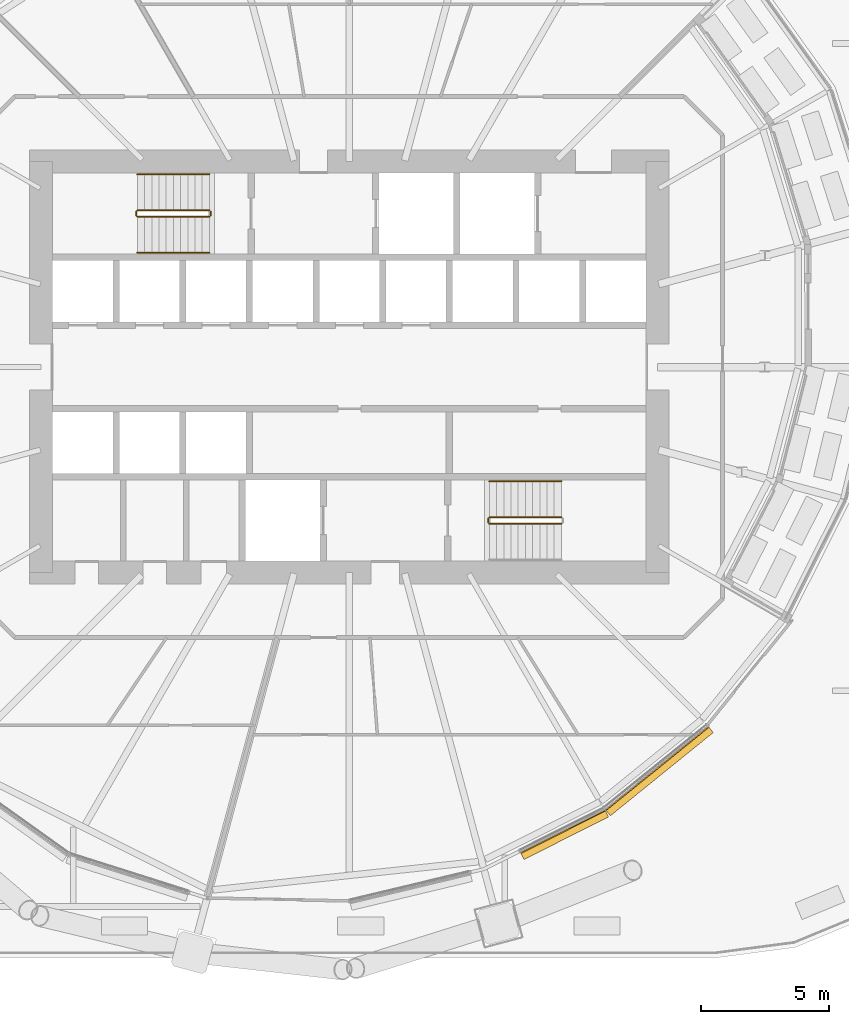
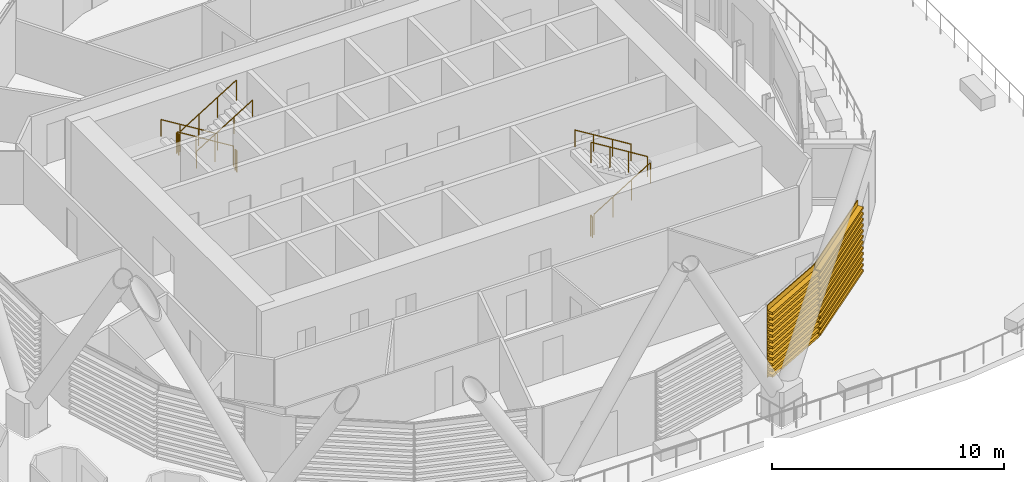
# One storey, part 43 of 47: 10 railings, 2 coverings.
"""IFC4 building model written with IfcOpenShell, lengths in metres."""

from ifc_helpers import new_model, si_unit, direction, frame, origin, origin_2d, place, context, subcontext, project, spatial, polyline, circle, outline, extrude, material, material_profile, profile_set, type_object, element, save


model = new_model("IFC4")

# Units and contexts
model_context = context("Model", 3, precision=1e-05, world=origin(), true_north=direction((0.0, 1.0)))
body_context = subcontext(model_context, "Body", "Model", "MODEL_VIEW")
ifc_project = project(units=[si_unit("LENGTHUNIT", "METRE"), si_unit("AREAUNIT", "SQUARE_METRE"), si_unit("VOLUMEUNIT", "CUBIC_METRE"), si_unit("PLANEANGLEUNIT", "RADIAN"), si_unit("MASSUNIT", "GRAM", prefix="KILO")], contexts=[model_context])

# Site, building, storey
site_placement = place(None, origin())
site = spatial("IfcSite", under=ifc_project, at=site_placement, CompositionType="ELEMENT")
building_placement = place(site_placement, origin())
building = spatial("IfcBuilding", under=site, at=building_placement, Name="Rimbun Link Towers", CompositionType="ELEMENT")
storey_placement = place(building_placement, frame((0.0, 0.0, 30.0)))
storey = spatial("IfcBuildingStorey", under=building, at=storey_placement, Name="L06", CompositionType="ELEMENT", Elevation=30.0)

# Railings
ifc_material_1 = material(Name="Stainless steel grade 316", Category="steel")
railing_type_1 = type_object("IfcRailingType", Name="Stair guard", PredefinedType="GUARDRAIL", material=ifc_material_1)
railing_1_placement = place(storey_placement, frame((26.300048828125, 6.10009765625, 0.172607421875)))
element("IfcRailing", 1, at=railing_1_placement, inside=storey, type_object=railing_type_1, Name="L06 ST3 stair guard 1", PredefinedType="GUARDRAIL", context=body_context, shape_type="SweptSolid", body=[
    extrude(circle(Radius=0.02392578125, at=origin_2d()), frame((0.0, 0.0, 1.076171875), z_axis=(-0.851089632645, 0.0, 0.525020415988), x_axis=(0.0, -1.0, 0.0)), (0.0, 0.0, 1.0), 3.2900390625),
    extrude(circle(Radius=0.02099609375, at=origin_2d()), origin(), (0.0, 0.0, 1.0), 1.052001953125),
    extrude(circle(Radius=0.02099609375, at=origin_2d()), frame((-0.933349609375, 0.0, 0.57568359375)), (0.0, 0.0, 1.0), 1.052001953125),
    extrude(circle(Radius=0.02099609375, at=origin_2d()), frame((-1.86669921875, 0.0, 1.151611328125)), (0.0, 0.0, 1.0), 1.052001953125),
    extrude(circle(Radius=0.02099609375, at=origin_2d()), frame((-2.800048828125, 0.0, 1.727294921875)), (0.0, 0.0, 1.0), 1.052001953125),
])
railing_2_placement = place(storey_placement, frame((23.449951171875, 6.050048828125, 1.89990234375)))
element("IfcRailing", 2, at=railing_2_placement, inside=storey, type_object=railing_type_1, Name="L06 ST3 stair guard 2", PredefinedType="GUARDRAIL", context=body_context, shape_type="SweptSolid", body=[
    extrude(circle(Radius=0.02392578125, at=origin_2d()), frame((0.0, 0.0, 1.076171875), z_axis=(0.0, -1.0, 0.0), x_axis=(1.0, 0.0, 0.0)), (0.0, 0.0, 1.0), 0.150146484375),
    extrude(circle(Radius=0.02099609375, at=origin_2d()), origin(), (0.0, 0.0, 1.0), 1.052001953125),
    extrude(circle(Radius=0.02099609375, at=origin_2d()), frame((0.0, -0.150146484375, 0.0)), (0.0, 0.0, 1.0), 1.052001953125),
])
railing_3_placement = place(storey_placement, frame((23.5, 5.85009765625, 2.07275390625)))
element("IfcRailing", 3, at=railing_3_placement, inside=storey, type_object=railing_type_1, Name="L06 ST3 stair guard 3", PredefinedType="GUARDRAIL", context=body_context, shape_type="SweptSolid", body=[
    extrude(circle(Radius=0.02392578125, at=origin_2d()), frame((0.0, 0.0, 1.076171875), z_axis=(0.851089632645, 0.0, 0.525020415988), x_axis=(0.0, 1.0, 0.0)), (0.0, 0.0, 1.0), 3.2900390625),
    extrude(circle(Radius=0.02099609375, at=origin_2d()), origin(), (0.0, 0.0, 1.0), 1.052001953125),
    extrude(circle(Radius=0.02099609375, at=origin_2d()), frame((0.933349609375, 0.0, 0.57568359375)), (0.0, 0.0, 1.0), 1.052001953125),
    extrude(circle(Radius=0.02099609375, at=origin_2d()), frame((1.86669921875, 0.0, 1.151611328125)), (0.0, 0.0, 1.0), 1.052001953125),
    extrude(circle(Radius=0.02099609375, at=origin_2d()), frame((2.800048828125, 0.0, 1.727294921875)), (0.0, 0.0, 1.0), 1.052001953125),
])
railing_4_placement = place(storey_placement, frame((26.35009765625, 6.050048828125, 0.0)))
element("IfcRailing", 4, at=railing_4_placement, inside=storey, type_object=railing_type_1, Name="L06 ST3 stair guard 4", PredefinedType="GUARDRAIL", context=body_context, shape_type="SweptSolid", body=[
    extrude(circle(Radius=0.02392578125, at=origin_2d()), frame((0.0, 0.0, 1.076171875), z_axis=(0.0, -1.0, 0.0), x_axis=(1.0, 0.0, 0.0)), (0.0, 0.0, 1.0), 0.150146484375),
    extrude(circle(Radius=0.02099609375, at=origin_2d()), origin(), (0.0, 0.0, 1.0), 1.052001953125),
    extrude(circle(Radius=0.02099609375, at=origin_2d()), frame((0.0, -0.150146484375, 0.0)), (0.0, 0.0, 1.0), 1.052001953125),
])
railing_5_placement = place(storey_placement, frame((37.199951171875, -6.10009765625, 0.172607421875)))
element("IfcRailing", 5, at=railing_5_placement, inside=storey, type_object=railing_type_1, Name="L06 ST4 stair guard 1", PredefinedType="GUARDRAIL", context=body_context, shape_type="SweptSolid", body=[
    extrude(circle(Radius=0.02392578125, at=origin_2d()), frame((0.0, 0.0, 1.076171875), z_axis=(0.851089632645, 0.0, 0.525020415988), x_axis=(0.0, 1.0, 0.0)), (0.0, 0.0, 1.0), 3.2900390625),
    extrude(circle(Radius=0.02099609375, at=origin_2d()), origin(), (0.0, 0.0, 1.0), 1.052001953125),
    extrude(circle(Radius=0.02099609375, at=origin_2d()), frame((0.933349609375, 0.0, 0.57568359375)), (0.0, 0.0, 1.0), 1.052001953125),
    extrude(circle(Radius=0.02099609375, at=origin_2d()), frame((1.86669921875, 0.0, 1.151611328125)), (0.0, 0.0, 1.0), 1.052001953125),
    extrude(circle(Radius=0.02099609375, at=origin_2d()), frame((2.800048828125, 0.0, 1.727294921875)), (0.0, 0.0, 1.0), 1.052001953125),
])
railing_6_placement = place(storey_placement, frame((40.0, -5.85009765625, 2.07275390625)))
element("IfcRailing", 6, at=railing_6_placement, inside=storey, type_object=railing_type_1, Name="L06 ST4 stair guard 3", PredefinedType="GUARDRAIL", context=body_context, shape_type="SweptSolid", body=[
    extrude(circle(Radius=0.02392578125, at=origin_2d()), frame((0.0, 0.0, 1.076171875), z_axis=(-0.851089632645, 0.0, 0.525020415988), x_axis=(0.0, -1.0, 0.0)), (0.0, 0.0, 1.0), 3.2900390625),
    extrude(circle(Radius=0.02099609375, at=origin_2d()), origin(), (0.0, 0.0, 1.0), 1.052001953125),
    extrude(circle(Radius=0.02099609375, at=origin_2d()), frame((-0.933349609375, 0.0, 0.57568359375)), (0.0, 0.0, 1.0), 1.052001953125),
    extrude(circle(Radius=0.02099609375, at=origin_2d()), frame((-1.86669921875, 0.0, 1.151611328125)), (0.0, 0.0, 1.0), 1.052001953125),
    extrude(circle(Radius=0.02099609375, at=origin_2d()), frame((-2.800048828125, 0.0, 1.727294921875)), (0.0, 0.0, 1.0), 1.052001953125),
])
railing_7_placement = place(storey_placement, frame((37.14990234375, -6.050048828125, 0.0)))
element("IfcRailing", 7, at=railing_7_placement, inside=storey, type_object=railing_type_1, Name="L06 ST4 stair guard 4", PredefinedType="GUARDRAIL", context=body_context, shape_type="SweptSolid", body=[
    extrude(circle(Radius=0.02392578125, at=origin_2d()), frame((0.0, 0.0, 1.076171875), z_axis=(0.0, 1.0, 0.0), x_axis=(-1.0, 0.0, 0.0)), (0.0, 0.0, 1.0), 0.150146484375),
    extrude(circle(Radius=0.02099609375, at=origin_2d()), origin(), (0.0, 0.0, 1.0), 1.052001953125),
    extrude(circle(Radius=0.02099609375, at=origin_2d()), frame((0.0, 0.150146484375, 0.0)), (0.0, 0.0, 1.0), 1.052001953125),
])
ifc_material_2 = material(Name="Stainless steel grade 316", Category="steel")
railing_type_2 = type_object("IfcRailingType", Name="Stair handrail", PredefinedType="HANDRAIL", material=ifc_material_2)
railing_8_placement = place(storey_placement, frame((26.300048828125, 7.5, 0.172607421875)))
element("IfcRailing", 8, at=railing_8_placement, inside=storey, type_object=railing_type_2, Name="L06 ST3 stair handrail 1", PredefinedType="HANDRAIL", context=body_context, shape_type="SweptSolid", body=[
    extrude(circle(Radius=0.02392578125, at=origin_2d()), frame((0.0, 0.0, 0.8759765625), z_axis=(-0.851089632645, 0.0, 0.525020415988), x_axis=(0.0, -1.0, 0.0)), (0.0, 0.0, 1.0), 3.2900390625),
    extrude(circle(Radius=0.02099609375, at=origin_2d()), origin(), (0.0, 0.0, 1.0), 0.851806640625),
    extrude(circle(Radius=0.02099609375, at=origin_2d()), frame((-0.933349609375, 0.0, 0.57568359375)), (0.0, 0.0, 1.0), 0.851806640625),
    extrude(circle(Radius=0.02099609375, at=origin_2d()), frame((-1.86669921875, 0.0, 1.151611328125)), (0.0, 0.0, 1.0), 0.851806640625),
    extrude(circle(Radius=0.02099609375, at=origin_2d()), frame((-2.800048828125, 0.0, 1.727294921875)), (0.0, 0.0, 1.0), 0.851806640625),
])
railing_9_placement = place(storey_placement, frame((23.5, 4.449951171875, 2.07275390625)))
element("IfcRailing", 9, at=railing_9_placement, inside=storey, type_object=railing_type_2, Name="L06 ST3 stair handrail 2", PredefinedType="HANDRAIL", context=body_context, shape_type="SweptSolid", body=[
    extrude(circle(Radius=0.02392578125, at=origin_2d()), frame((0.0, 0.0, 0.8759765625), z_axis=(0.851089632645, 0.0, 0.525020415988), x_axis=(0.0, 1.0, 0.0)), (0.0, 0.0, 1.0), 3.2900390625),
    extrude(circle(Radius=0.02099609375, at=origin_2d()), origin(), (0.0, 0.0, 1.0), 0.851806640625),
    extrude(circle(Radius=0.02099609375, at=origin_2d()), frame((0.933349609375, 0.0, 0.57568359375)), (0.0, 0.0, 1.0), 0.851806640625),
    extrude(circle(Radius=0.02099609375, at=origin_2d()), frame((1.86669921875, 0.0, 1.151611328125)), (0.0, 0.0, 1.0), 0.851806640625),
    extrude(circle(Radius=0.02099609375, at=origin_2d()), frame((2.800048828125, 0.0, 1.727294921875)), (0.0, 0.0, 1.0), 0.851806640625),
])
railing_10_placement = place(storey_placement, frame((40.0, -4.449951171875, 2.07275390625)))
element("IfcRailing", 10, at=railing_10_placement, inside=storey, type_object=railing_type_2, Name="L06 ST4 stair handrail 2", PredefinedType="HANDRAIL", context=body_context, shape_type="SweptSolid", body=[
    extrude(circle(Radius=0.02392578125, at=origin_2d()), frame((0.0, 0.0, 0.8759765625), z_axis=(-0.851089632645, 0.0, 0.525020415988), x_axis=(0.0, -1.0, 0.0)), (0.0, 0.0, 1.0), 3.2900390625),
    extrude(circle(Radius=0.02099609375, at=origin_2d()), origin(), (0.0, 0.0, 1.0), 0.851806640625),
    extrude(circle(Radius=0.02099609375, at=origin_2d()), frame((-0.933349609375, 0.0, 0.57568359375)), (0.0, 0.0, 1.0), 0.851806640625),
    extrude(circle(Radius=0.02099609375, at=origin_2d()), frame((-1.86669921875, 0.0, 1.151611328125)), (0.0, 0.0, 1.0), 0.851806640625),
    extrude(circle(Radius=0.02099609375, at=origin_2d()), frame((-2.800048828125, 0.0, 1.727294921875)), (0.0, 0.0, 1.0), 0.851806640625),
])

# Coverings
ifc_material_3 = material(Name="Terracotta", Category="masonry")
ifc_material_profile = material_profile(ifc_material_3, outline(polyline([(0.123046875, 0.0), (0.1630859375, 0.0), (0.1630859375, 0.10009765625), (0.423095703125, 0.10009765625), (0.423095703125, 0.219970703125), (0.1630859375, 0.219970703125), (0.1630859375, 0.39990234375), (0.423095703125, 0.39990234375), (0.423095703125, 0.52001953125), (0.1630859375, 0.52001953125), (0.1630859375, 0.699951171875), (0.423095703125, 0.699951171875), (0.423095703125, 0.820068359375), (0.1630859375, 0.820068359375), (0.1630859375, 1.0), (0.423095703125, 1.0), (0.423095703125, 1.1201171875), (0.1630859375, 1.1201171875), (0.1630859375, 1.300048828125), (0.423095703125, 1.300048828125), (0.423095703125, 1.419921875), (0.1630859375, 1.419921875), (0.1630859375, 1.60009765625), (0.423095703125, 1.60009765625), (0.423095703125, 1.719970703125), (0.1630859375, 1.719970703125), (0.1630859375, 1.89990234375), (0.423095703125, 1.89990234375), (0.423095703125, 2.02001953125), (0.1630859375, 2.02001953125), (0.1630859375, 2.199951171875), (0.423095703125, 2.199951171875), (0.423095703125, 2.320068359375), (0.1630859375, 2.320068359375), (0.1630859375, 2.5), (0.423095703125, 2.5), (0.423095703125, 2.6201171875), (0.1630859375, 2.6201171875), (0.1630859375, 2.800048828125), (0.423095703125, 2.800048828125), (0.423095703125, 2.919921875), (0.1630859375, 2.919921875), (0.1630859375, 3.10009765625), (0.423095703125, 3.10009765625), (0.423095703125, 3.219970703125), (0.1630859375, 3.219970703125), (0.1630859375, 3.39990234375), (0.423095703125, 3.39990234375), (0.423095703125, 3.52001953125), (0.1630859375, 3.52001953125), (0.1630859375, 3.800048828125), (0.123046875, 3.800048828125), (0.123046875, 0.0)])), Name="BAGUETTE 120X300")
ifc_profile_set = profile_set([ifc_material_profile], Name="Terracotta")
covering_type = type_object("IfcCoveringType", Name="TERRACOTTA BAGUETTE 120X300 H3800", PredefinedType="CLADDING", material=ifc_profile_set)
covering_1_placement = place(storey_placement, frame((41.64453125, -17.1376953125, 0.0), z_axis=(-0.893629667203, -0.448805100121, 0.0), x_axis=(0.448805100121, -0.893629667203, 0.0)))
element("IfcCovering", 11, at=covering_1_placement, inside=storey, type_object=covering_type, Name="TERRACOTTA BAGUETTE", PredefinedType="CLADDING", context=body_context, shape_type="SweptSolid", body=[
    extrude(outline(polyline([(0.123046875, 0.0), (0.1630859375, 0.0), (0.1630859375, 0.10009765625), (0.423095703125, 0.10009765625), (0.423095703125, 0.219970703125), (0.1630859375, 0.219970703125), (0.1630859375, 0.39990234375), (0.423095703125, 0.39990234375), (0.423095703125, 0.52001953125), (0.1630859375, 0.52001953125), (0.1630859375, 0.699951171875), (0.423095703125, 0.699951171875), (0.423095703125, 0.820068359375), (0.1630859375, 0.820068359375), (0.1630859375, 1.0), (0.423095703125, 1.0), (0.423095703125, 1.1201171875), (0.1630859375, 1.1201171875), (0.1630859375, 1.300048828125), (0.423095703125, 1.300048828125), (0.423095703125, 1.419921875), (0.1630859375, 1.419921875), (0.1630859375, 1.60009765625), (0.423095703125, 1.60009765625), (0.423095703125, 1.719970703125), (0.1630859375, 1.719970703125), (0.1630859375, 1.89990234375), (0.423095703125, 1.89990234375), (0.423095703125, 2.02001953125), (0.1630859375, 2.02001953125), (0.1630859375, 2.199951171875), (0.423095703125, 2.199951171875), (0.423095703125, 2.320068359375), (0.1630859375, 2.320068359375), (0.1630859375, 2.5), (0.423095703125, 2.5), (0.423095703125, 2.6201171875), (0.1630859375, 2.6201171875), (0.1630859375, 2.800048828125), (0.423095703125, 2.800048828125), (0.423095703125, 2.919921875), (0.1630859375, 2.919921875), (0.1630859375, 3.10009765625), (0.423095703125, 3.10009765625), (0.423095703125, 3.219970703125), (0.1630859375, 3.219970703125), (0.1630859375, 3.39990234375), (0.423095703125, 3.39990234375), (0.423095703125, 3.52001953125), (0.1630859375, 3.52001953125), (0.1630859375, 3.800048828125), (0.123046875, 3.800048828125), (0.123046875, 0.0)])), origin(), (0.0, 0.0, 1.0), 3.679931640625),
])
covering_2_placement = place(storey_placement, frame((45.647705078125, -13.897705078125, 0.0), z_axis=(-0.777308896653, -0.629119129565, 0.0), x_axis=(0.629119129565, -0.777308896653, 0.0)))
element("IfcCovering", 12, at=covering_2_placement, inside=storey, type_object=covering_type, Name="TERRACOTTA BAGUETTE", PredefinedType="CLADDING", context=body_context, shape_type="SweptSolid", body=[
    extrude(outline(polyline([(0.123046875, 0.0), (0.1630859375, 0.0), (0.1630859375, 0.10009765625), (0.423095703125, 0.10009765625), (0.423095703125, 0.219970703125), (0.1630859375, 0.219970703125), (0.1630859375, 0.39990234375), (0.423095703125, 0.39990234375), (0.423095703125, 0.52001953125), (0.1630859375, 0.52001953125), (0.1630859375, 0.699951171875), (0.423095703125, 0.699951171875), (0.423095703125, 0.820068359375), (0.1630859375, 0.820068359375), (0.1630859375, 1.0), (0.423095703125, 1.0), (0.423095703125, 1.1201171875), (0.1630859375, 1.1201171875), (0.1630859375, 1.300048828125), (0.423095703125, 1.300048828125), (0.423095703125, 1.419921875), (0.1630859375, 1.419921875), (0.1630859375, 1.60009765625), (0.423095703125, 1.60009765625), (0.423095703125, 1.719970703125), (0.1630859375, 1.719970703125), (0.1630859375, 1.89990234375), (0.423095703125, 1.89990234375), (0.423095703125, 2.02001953125), (0.1630859375, 2.02001953125), (0.1630859375, 2.199951171875), (0.423095703125, 2.199951171875), (0.423095703125, 2.320068359375), (0.1630859375, 2.320068359375), (0.1630859375, 2.5), (0.423095703125, 2.5), (0.423095703125, 2.6201171875), (0.1630859375, 2.6201171875), (0.1630859375, 2.800048828125), (0.423095703125, 2.800048828125), (0.423095703125, 2.919921875), (0.1630859375, 2.919921875), (0.1630859375, 3.10009765625), (0.423095703125, 3.10009765625), (0.423095703125, 3.219970703125), (0.1630859375, 3.219970703125), (0.1630859375, 3.39990234375), (0.423095703125, 3.39990234375), (0.423095703125, 3.52001953125), (0.1630859375, 3.52001953125), (0.1630859375, 3.800048828125), (0.123046875, 3.800048828125), (0.123046875, 0.0)])), origin(), (0.0, 0.0, 1.0), 5.150146484375),
])

save(model, "model.ifc")
